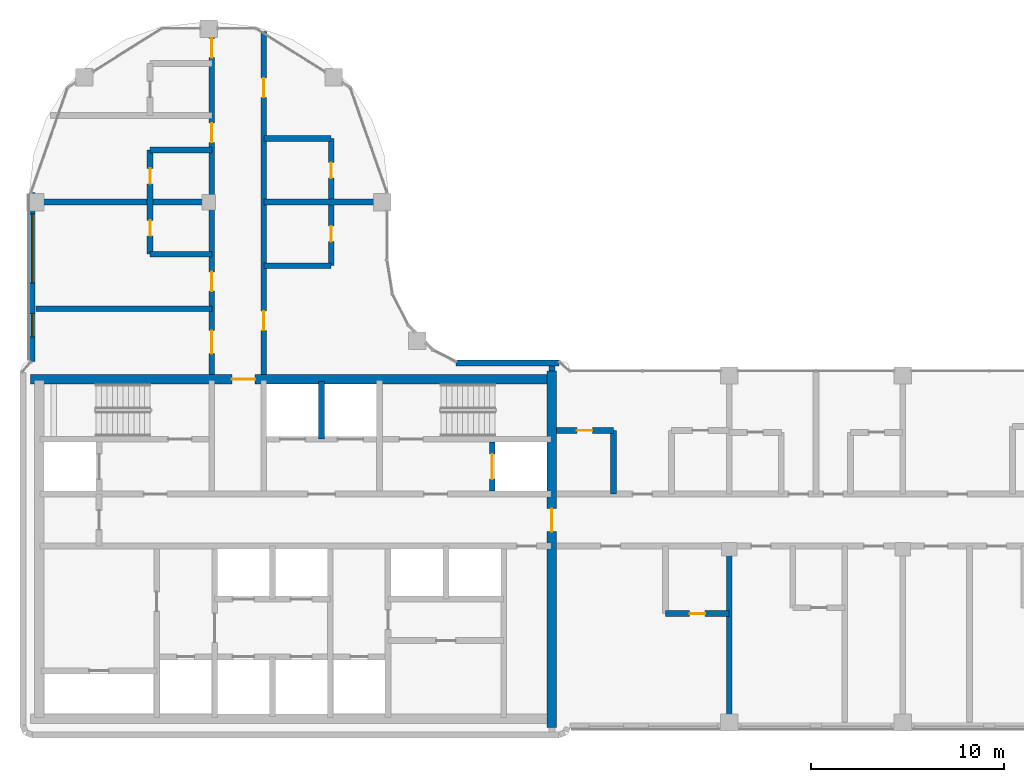
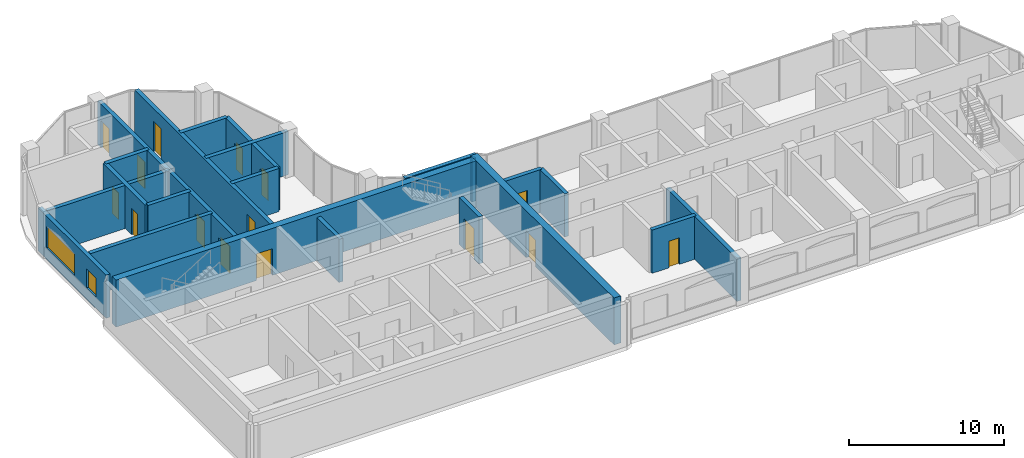
# One storey, part 10 of 17: 22 walls, 15 doors, 2 windows, 17 openings.
"""IFC4 building model written with IfcOpenShell, lengths in metres."""

from ifc_helpers import new_model, si_unit, direction, frame, frame_2d, origin, place, context, subcontext, project, spatial, rectangle, extrude, material, layer, layer_set, type_object, element, fill, save


model = new_model("IFC4")

# Units and contexts
model_context = context("Model", 3, precision=1e-05, world=origin(), true_north=direction((0.0, 1.0)))
body_context = subcontext(model_context, "Body", "Model", "MODEL_VIEW")
ifc_project = project(units=[si_unit("LENGTHUNIT", "METRE"), si_unit("AREAUNIT", "SQUARE_METRE"), si_unit("VOLUMEUNIT", "CUBIC_METRE"), si_unit("PLANEANGLEUNIT", "RADIAN"), si_unit("MASSUNIT", "GRAM", prefix="KILO")], contexts=[model_context])

# Site, building, storey
site_placement = place(None, origin())
site = spatial("IfcSite", under=ifc_project, at=site_placement, CompositionType="ELEMENT")
building_placement = place(site_placement, origin())
building = spatial("IfcBuilding", under=site, at=building_placement, Name="Ogive Portal Towers", CompositionType="ELEMENT")
storey_placement = place(building_placement, frame((0.0, 0.0, 221.699951171875)))
storey = spatial("IfcBuildingStorey", under=building, at=storey_placement, Name="L55", CompositionType="ELEMENT", Elevation=221.699951171875)

# Wall, opening, door
ifc_material_1 = material(Name="Concrete C60/75", Category="concrete")
ifc_layer_1 = layer(ifc_material_1, 0.300048828125)
ifc_layer_set_1 = layer_set([ifc_layer_1], Name="CORE WALL 300 C60")
wall_type_1 = type_object("IfcWallType", Name="CORE WALL 300 C60", PredefinedType="SHEAR", material=ifc_layer_set_1)
wall_1_placement = place(storey_placement, frame((55.199951171875, 33.5, 0.0), z_axis=(0.0, 0.0, 1.0), x_axis=(0.0, 1.0, 0.0)))
wall_1 = element("IfcWall", 1, at=wall_1_placement, inside=storey, type_object=wall_type_1, Name="Core wall X10 L55", PredefinedType="SHEAR", context=body_context, shape_type="SweptSolid", body=[
    extrude(rectangle(XDim=2.550048828125, YDim=0.300048828125, at=frame_2d((1.27490234375, 0.0))), origin(), (0.0, 0.0, 1.0), 3.699951171875),
])
opening_1_placement = place(wall_1_placement, frame((0.625, 0.0, 0.0)))
opening_1 = element("IfcOpeningElement", 2, at=opening_1_placement, cuts=wall_1, Name="Opening D24-019", PredefinedType="OPENING", context=body_context, shape_type="SweptSolid", body=[
    extrude(rectangle(XDim=1.300048828125, YDim=2.39990234375, at=frame_2d((0.64990234375, 1.199951171875))), frame((0.0, 0.16015625, 0.0), z_axis=(0.0, -1.0, 0.0), x_axis=(1.0, 0.0, 0.0)), (0.0, 0.0, 1.0), 0.320068359375),
])
ifc_material_2 = material(Name="Stainless steel", Category="steel")
door_type_1 = type_object("IfcDoorType", Name="DT-LD-1300x2400", OperationType="SLIDING_TO_LEFT", PredefinedType="DOOR", material=ifc_material_2)
door_1_placement = place(opening_1_placement, origin())
door_1 = element("IfcDoor", 3, at=door_1_placement, inside=storey, type_object=door_type_1, Name="Door D24-019", OperationType="SLIDING_TO_LEFT", OverallHeight=2.39990234375, OverallWidth=1.300048828125, PredefinedType="DOOR", context=body_context, shape_type="SweptSolid", body=[
    extrude(rectangle(XDim=1.300048828125, YDim=2.39990234375, at=frame_2d((0.64990234375, 1.199951171875))), frame((0.0, 0.02490234375, 0.0), z_axis=(0.0, -1.0, 0.0), x_axis=(1.0, 0.0, 0.0)), (0.0, 0.0, 1.0), 0.050048828125),
])
fill(opening_1, door_1)

ifc_layer_2 = layer(ifc_material_1, 0.5)
ifc_layer_set_2 = layer_set([ifc_layer_2], Name="CORE WALL 500 C60")
wall_type_2 = type_object("IfcWallType", Name="CORE WALL 500 C60", PredefinedType="SHEAR", material=ifc_layer_set_2)
wall_2_placement = place(storey_placement, frame((58.300048828125, 21.25, 0.0), z_axis=(0.0, 0.0, 1.0), x_axis=(0.0, 1.0, 0.0)))
wall_2 = element("IfcWall", 4, at=wall_2_placement, inside=storey, type_object=wall_type_2, Name="Core wall E L55", PredefinedType="SHEAR", context=body_context, shape_type="SweptSolid", body=[
    extrude(rectangle(XDim=18.5, YDim=0.5, at=frame_2d((9.25, 0.0))), origin(), (0.0, 0.0, 1.0), 3.699951171875),
])
opening_2_placement = place(wall_2_placement, frame((10.14990234375, 0.0, 0.0)))
opening_2 = element("IfcOpeningElement", 5, at=opening_2_placement, cuts=wall_2, Name="Opening D24-010", PredefinedType="OPENING", context=body_context, shape_type="SweptSolid", body=[
    extrude(rectangle(XDim=1.199951171875, YDim=2.10009765625, at=frame_2d((0.60009765625, 1.050048828125))), frame((0.0, 0.260009765625, 0.0), z_axis=(0.0, -1.0, 0.0), x_axis=(1.0, 0.0, 0.0)), (0.0, 0.0, 1.0), 0.52001953125),
])
ifc_material_3 = material(Name="Steel fire door", Category="steel")
door_type_2 = type_object("IfcDoorType", Name="DT-SWING-1200x2100-FD90S", OperationType="SINGLE_SWING_LEFT", PredefinedType="DOOR", material=ifc_material_3)
door_2_placement = place(opening_2_placement, origin())
door_2 = element("IfcDoor", 6, at=door_2_placement, inside=storey, type_object=door_type_2, Name="Door D24-010", OperationType="SINGLE_SWING_LEFT", OverallHeight=2.10009765625, OverallWidth=1.199951171875, PredefinedType="DOOR", context=body_context, shape_type="SweptSolid", body=[
    extrude(rectangle(XDim=1.199951171875, YDim=2.10009765625, at=frame_2d((0.60009765625, 1.050048828125))), frame((0.0, 0.02490234375, 0.0), z_axis=(0.0, -1.0, 0.0), x_axis=(1.0, 0.0, 0.0)), (0.0, 0.0, 1.0), 0.050048828125),
])
fill(opening_2, door_2)

wall_3_placement = place(storey_placement, frame((31.25, 39.300048828125, 0.0), z_axis=(0.0, 0.0, 1.0), x_axis=(1.0, 0.0, 0.0)))
wall_3 = element("IfcWall", 7, at=wall_3_placement, inside=storey, type_object=wall_type_2, Name="Core wall N L55", PredefinedType="SHEAR", context=body_context, shape_type="SweptSolid", body=[
    extrude(rectangle(XDim=27.0, YDim=0.5, at=frame_2d((13.5, 0.0))), origin(), (0.0, 0.0, 1.0), 3.699951171875),
])
opening_3_placement = place(wall_3_placement, frame((10.449951171875, 0.0, 0.0)))
opening_3 = element("IfcOpeningElement", 8, at=opening_3_placement, cuts=wall_3, Name="Opening D24-011", PredefinedType="OPENING", context=body_context, shape_type="SweptSolid", body=[
    extrude(rectangle(XDim=1.199951171875, YDim=2.10009765625, at=frame_2d((0.60009765625, 1.050048828125))), frame((0.0, 0.260009765625, 0.0), z_axis=(0.0, -1.0, 0.0), x_axis=(1.0, 0.0, 0.0)), (0.0, 0.0, 1.0), 0.52001953125),
])
door_3_placement = place(opening_3_placement, origin())
door_3 = element("IfcDoor", 9, at=door_3_placement, inside=storey, type_object=door_type_2, Name="Door D24-011", OperationType="SINGLE_SWING_RIGHT", OverallHeight=2.10009765625, OverallWidth=1.199951171875, PredefinedType="DOOR", context=body_context, shape_type="SweptSolid", body=[
    extrude(rectangle(XDim=1.199951171875, YDim=2.10009765625, at=frame_2d((0.60009765625, 1.050048828125))), frame((0.0, 0.02490234375, 0.0), z_axis=(0.0, -1.0, 0.0), x_axis=(1.0, 0.0, 0.0)), (0.0, 0.0, 1.0), 0.050048828125),
])
fill(opening_3, door_3)

# Wall
ifc_material_4 = material(Name="Limestone cladding on lightweight block wall", Category="masonry")
ifc_layer_3 = layer(ifc_material_4, 0.300048828125)
ifc_layer_set_3 = layer_set([ifc_layer_3], Name="EXTERNAL WALL 300 STONE")
wall_type_3 = type_object("IfcWallType", Name="EXTERNAL WALL 300 STONE", PredefinedType="SOLIDWALL", material=ifc_layer_set_3)
wall_4_placement = place(storey_placement, frame((58.669921875, 40.14990234375, 0.0), z_axis=(0.0, 0.0, 1.0), x_axis=(-1.0, 0.0, 0.0)))
element("IfcWall", 10, at=wall_4_placement, inside=storey, type_object=wall_type_3, Name="A:L55:f01:r0:wall", PredefinedType="SOLIDWALL", context=body_context, shape_type="SweptSolid", body=[
    extrude(rectangle(XDim=5.3408203125, YDim=0.300048828125, at=frame_2d((2.67041015625, 0.0))), origin(), (0.0, 0.0, 1.0), 3.400146484375),
])

# Wall, openings, windows
wall_5_placement = place(storey_placement, frame((31.330078125, 48.986328125, 0.0), z_axis=(0.0, 0.0, 1.0), x_axis=(0.0, -1.0, 0.0)))
wall_5 = element("IfcWall", 11, at=wall_5_placement, inside=storey, type_object=wall_type_3, Name="A:L55:f12:r0:wall", PredefinedType="SOLIDWALL", context=body_context, shape_type="SweptSolid", body=[
    extrude(rectangle(XDim=8.76611328125, YDim=0.300048828125, at=frame_2d((4.383056640625, 0.0))), origin(), (0.0, 0.0, 1.0), 3.400146484375),
])
opening_4_placement = place(wall_5_placement, frame((1.09326171875, 0.0, 0.89990234375)))
opening_4 = element("IfcOpeningElement", 12, at=opening_4_placement, cuts=wall_5, Name="Opening WN14", PredefinedType="OPENING", context=body_context, shape_type="SweptSolid", body=[
    extrude(rectangle(XDim=3.60009765625, YDim=1.699951171875, at=frame_2d((1.800048828125, 0.85009765625))), frame((0.0, 0.16015625, 0.0), z_axis=(0.0, -1.0, 0.0), x_axis=(1.0, 0.0, 0.0)), (0.0, 0.0, 1.0), 0.320068359375),
])
opening_5_placement = place(wall_5_placement, frame((6.2763671875, 0.0, 0.89990234375)))
opening_5 = element("IfcOpeningElement", 13, at=opening_5_placement, cuts=wall_5, Name="Opening WN9", PredefinedType="OPENING", context=body_context, shape_type="SweptSolid", body=[
    extrude(rectangle(XDim=1.199951171875, YDim=1.5, at=frame_2d((0.60009765625, 0.75))), frame((0.0, 0.16015625, 0.0), z_axis=(0.0, -1.0, 0.0), x_axis=(1.0, 0.0, 0.0)), (0.0, 0.0, 1.0), 0.320068359375),
])
ifc_material_5 = material(Name="Glass, clear low-iron insulated glazing", Category="glass")
window_type_1 = type_object("IfcWindowType", Name="WINDOW HOTEL CASEMENT 1200x1500", PartitioningType="DOUBLE_PANEL_VERTICAL", PredefinedType="WINDOW", material=ifc_material_5)
window_1_placement = place(opening_5_placement, origin())
window_1 = element("IfcWindow", 14, at=window_1_placement, inside=storey, type_object=window_type_1, Name="A:L55:f12:r0:w1", OverallHeight=1.5, OverallWidth=1.199951171875, PartitioningType="SINGLE_PANEL", PredefinedType="WINDOW", context=body_context, shape_type="SweptSolid", body=[
    extrude(rectangle(XDim=1.199951171875, YDim=1.5, at=frame_2d((0.60009765625, 0.75))), frame((0.0, 0.030029296875, 0.0), z_axis=(0.0, -1.0, 0.0), x_axis=(1.0, 0.0, 0.0)), (0.0, 0.0, 1.0), 0.06005859375),
])
fill(opening_5, window_1)
window_type_2 = type_object("IfcWindowType", Name="WINDOW RIBBON LANCET 3600x1700", PartitioningType="TRIPLE_PANEL_VERTICAL", PredefinedType="WINDOW", material=ifc_material_5)
window_2_placement = place(opening_4_placement, origin())
window_2 = element("IfcWindow", 15, at=window_2_placement, inside=storey, type_object=window_type_2, Name="A:L55:f12:r0:w0", OverallHeight=1.699951171875, OverallWidth=3.60009765625, PartitioningType="SINGLE_PANEL", PredefinedType="WINDOW", context=body_context, shape_type="SweptSolid", body=[
    extrude(rectangle(XDim=3.60009765625, YDim=1.699951171875, at=frame_2d((1.800048828125, 0.85009765625))), frame((0.0, 0.030029296875, 0.0), z_axis=(0.0, -1.0, 0.0), x_axis=(1.0, 0.0, 0.0)), (0.0, 0.0, 1.0), 0.06005859375),
])
fill(opening_4, window_2)

# Wall
ifc_material_6 = material(Name="Gypsum board partition on steel studs", Category="steel")
ifc_layer_4 = layer(ifc_material_6, 0.300048828125)
ifc_layer_set_4 = layer_set([ifc_layer_4], Name="WT-PART-300-EI 120")
wall_type_4 = type_object("IfcWallType", Name="WT-PART-300-EI 120", PredefinedType="PARTITIONING", material=ifc_layer_set_4)
wall_6_placement = place(storey_placement, frame((58.300048828125, 39.75, 0.0), z_axis=(0.0, 0.0, 1.0), x_axis=(0.0, 1.0, 0.0)))
element("IfcWall", 16, at=wall_6_placement, inside=storey, type_object=wall_type_4, Name="Wall L55:wc02", PredefinedType="PARTITIONING", context=body_context, shape_type="SweptSolid", body=[
    extrude(rectangle(XDim=0.239990234375, YDim=0.300048828125, at=frame_2d((0.1201171875, 0.0))), origin(), (0.0, 0.0, 1.0), 3.400146484375),
])

# Wall, opening, door
ifc_layer_5 = layer(ifc_material_6, 0.300048828125)
ifc_layer_set_5 = layer_set([ifc_layer_5], Name="WT-PART-300-EI 60")
wall_type_5 = type_object("IfcWallType", Name="WT-PART-300-EI 60", PredefinedType="PARTITIONING", material=ifc_layer_set_5)
wall_7_placement = place(storey_placement, frame((64.199951171875, 27.14990234375, 0.0), z_axis=(0.0, 0.0, 1.0), x_axis=(1.0, 0.0, 0.0)))
wall_7 = element("IfcWall", 17, at=wall_7_placement, inside=storey, type_object=wall_type_5, Name="Wall L55:w002", PredefinedType="PARTITIONING", context=body_context, shape_type="SweptSolid", body=[
    extrude(rectangle(XDim=3.300048828125, YDim=0.300048828125, at=frame_2d((1.64990234375, 0.0))), origin(), (0.0, 0.0, 1.0), 3.400146484375),
])
opening_6_placement = place(wall_7_placement, frame((1.25, 0.0, 0.0)))
opening_6 = element("IfcOpeningElement", 18, at=opening_6_placement, cuts=wall_7, Name="Opening D24-028", PredefinedType="OPENING", context=body_context, shape_type="SweptSolid", body=[
    extrude(rectangle(XDim=0.800048828125, YDim=2.10009765625, at=frame_2d((0.39990234375, 1.050048828125))), frame((0.0, 0.16015625, 0.0), z_axis=(0.0, -1.0, 0.0), x_axis=(1.0, 0.0, 0.0)), (0.0, 0.0, 1.0), 0.320068359375),
])
door_type_3 = type_object("IfcDoorType", Name="DT-BATH-800x2100-FD60S", OperationType="SINGLE_SWING_LEFT", PredefinedType="DOOR", material=ifc_material_3)
door_4_placement = place(opening_6_placement, origin())
door_4 = element("IfcDoor", 19, at=door_4_placement, inside=storey, type_object=door_type_3, Name="Door D24-028", OperationType="SINGLE_SWING_LEFT", OverallHeight=2.10009765625, OverallWidth=0.800048828125, PredefinedType="DOOR", context=body_context, shape_type="SweptSolid", body=[
    extrude(rectangle(XDim=0.800048828125, YDim=2.10009765625, at=frame_2d((0.39990234375, 1.050048828125))), frame((0.0, 0.02490234375, 0.0), z_axis=(0.0, -1.0, 0.0), x_axis=(1.0, 0.0, 0.0)), (0.0, 0.0, 1.0), 0.050048828125),
])
fill(opening_6, door_4)

wall_8_placement = place(storey_placement, frame((58.550048828125, 36.64990234375, 0.0), z_axis=(0.0, 0.0, 1.0), x_axis=(1.0, 0.0, 0.0)))
wall_8 = element("IfcWall", 20, at=wall_8_placement, inside=storey, type_object=wall_type_5, Name="Wall L55:w011", PredefinedType="PARTITIONING", context=body_context, shape_type="SweptSolid", body=[
    extrude(rectangle(XDim=2.949951171875, YDim=0.300048828125, at=frame_2d((1.47509765625, 0.0))), origin(), (0.0, 0.0, 1.0), 3.400146484375),
])
opening_7_placement = place(wall_8_placement, frame((1.050048828125, 0.0, 0.0)))
opening_7 = element("IfcOpeningElement", 21, at=opening_7_placement, cuts=wall_8, Name="Opening D24-025", PredefinedType="OPENING", context=body_context, shape_type="SweptSolid", body=[
    extrude(rectangle(XDim=0.800048828125, YDim=2.10009765625, at=frame_2d((0.39990234375, 1.050048828125))), frame((0.0, 0.16015625, 0.0), z_axis=(0.0, -1.0, 0.0), x_axis=(1.0, 0.0, 0.0)), (0.0, 0.0, 1.0), 0.320068359375),
])
door_5_placement = place(opening_7_placement, origin())
door_5 = element("IfcDoor", 22, at=door_5_placement, inside=storey, type_object=door_type_3, Name="Door D24-025", OperationType="SINGLE_SWING_LEFT", OverallHeight=2.10009765625, OverallWidth=0.800048828125, PredefinedType="DOOR", context=body_context, shape_type="SweptSolid", body=[
    extrude(rectangle(XDim=0.800048828125, YDim=2.10009765625, at=frame_2d((0.39990234375, 1.050048828125))), frame((0.0, 0.02490234375, 0.0), z_axis=(0.0, -1.0, 0.0), x_axis=(1.0, 0.0, 0.0)), (0.0, 0.0, 1.0), 0.050048828125),
])
fill(opening_7, door_5)

# Walls
wall_9_placement = place(storey_placement, frame((31.530029296875, 42.969970703125, 0.0), z_axis=(0.0, 0.0, 1.0), x_axis=(1.0, 0.0, 0.0)))
element("IfcWall", 23, at=wall_9_placement, inside=storey, type_object=wall_type_5, Name="Wall L55:w014", PredefinedType="PARTITIONING", context=body_context, shape_type="SweptSolid", body=[
    extrude(rectangle(XDim=9.119873046875, YDim=0.300048828125, at=frame_2d((4.56005859375, 0.0))), origin(), (0.0, 0.0, 1.0), 3.400146484375),
])
wall_10_placement = place(storey_placement, frame((43.35009765625, 45.199951171875, 0.0), z_axis=(0.0, 0.0, 1.0), x_axis=(1.0, 0.0, 0.0)))
element("IfcWall", 24, at=wall_10_placement, inside=storey, type_object=wall_type_5, Name="Wall L55:w015", PredefinedType="PARTITIONING", context=body_context, shape_type="SweptSolid", body=[
    extrude(rectangle(XDim=3.5, YDim=0.300048828125, at=frame_2d((1.75, 0.0))), origin(), (0.0, 0.0, 1.0), 3.400146484375),
])
wall_11_placement = place(storey_placement, frame((37.449951171875, 45.800048828125, 0.0), z_axis=(0.0, 0.0, 1.0), x_axis=(1.0, 0.0, 0.0)))
element("IfcWall", 25, at=wall_11_placement, inside=storey, type_object=wall_type_5, Name="Wall L55:w016", PredefinedType="PARTITIONING", context=body_context, shape_type="SweptSolid", body=[
    extrude(rectangle(XDim=3.199951171875, YDim=0.300048828125, at=frame_2d((1.60009765625, 0.0))), origin(), (0.0, 0.0, 1.0), 3.400146484375),
])
wall_12_placement = place(storey_placement, frame((31.530029296875, 48.5, 0.0), z_axis=(0.0, 0.0, 1.0), x_axis=(1.0, 0.0, 0.0)))
element("IfcWall", 26, at=wall_12_placement, inside=storey, type_object=wall_type_5, Name="Wall L55:w017", PredefinedType="PARTITIONING", context=body_context, shape_type="SweptSolid", body=[
    extrude(rectangle(XDim=9.119873046875, YDim=0.300048828125, at=frame_2d((4.56005859375, 0.0))), origin(), (0.0, 0.0, 1.0), 3.400146484375),
])
wall_13_placement = place(storey_placement, frame((43.35009765625, 48.5, 0.0), z_axis=(0.0, 0.0, 1.0), x_axis=(1.0, 0.0, 0.0)))
element("IfcWall", 27, at=wall_13_placement, inside=storey, type_object=wall_type_5, Name="Wall L55:w018", PredefinedType="PARTITIONING", context=body_context, shape_type="SweptSolid", body=[
    extrude(rectangle(XDim=6.119873046875, YDim=0.300048828125, at=frame_2d((3.06005859375, 0.0))), origin(), (0.0, 0.0, 1.0), 3.400146484375),
])
wall_14_placement = place(storey_placement, frame((37.449951171875, 51.199951171875, 0.0), z_axis=(0.0, 0.0, 1.0), x_axis=(1.0, 0.0, 0.0)))
element("IfcWall", 28, at=wall_14_placement, inside=storey, type_object=wall_type_5, Name="Wall L55:w019", PredefinedType="PARTITIONING", context=body_context, shape_type="SweptSolid", body=[
    extrude(rectangle(XDim=3.199951171875, YDim=0.300048828125, at=frame_2d((1.60009765625, 0.0))), origin(), (0.0, 0.0, 1.0), 3.400146484375),
])
wall_15_placement = place(storey_placement, frame((43.35009765625, 51.800048828125, 0.0), z_axis=(0.0, 0.0, 1.0), x_axis=(1.0, 0.0, 0.0)))
element("IfcWall", 29, at=wall_15_placement, inside=storey, type_object=wall_type_5, Name="Wall L55:w020", PredefinedType="PARTITIONING", context=body_context, shape_type="SweptSolid", body=[
    extrude(rectangle(XDim=3.5, YDim=0.300048828125, at=frame_2d((1.75, 0.0))), origin(), (0.0, 0.0, 1.0), 3.400146484375),
])

# Wall, openings, doors
wall_16_placement = place(storey_placement, frame((37.449951171875, 45.800048828125, 0.0), z_axis=(0.0, 0.0, 1.0), x_axis=(0.0, 1.0, 0.0)))
wall_16 = element("IfcWall", 30, at=wall_16_placement, inside=storey, type_object=wall_type_5, Name="Wall L55:w023", PredefinedType="PARTITIONING", context=body_context, shape_type="SweptSolid", body=[
    extrude(rectangle(XDim=5.39990234375, YDim=0.300048828125, at=frame_2d((2.699951171875, 0.0))), origin(), (0.0, 0.0, 1.0), 3.400146484375),
])
opening_8_placement = place(wall_16_placement, frame((0.949951171875, 0.0, 0.0)))
opening_8 = element("IfcOpeningElement", 31, at=opening_8_placement, cuts=wall_16, Name="Opening D24-045", PredefinedType="OPENING", context=body_context, shape_type="SweptSolid", body=[
    extrude(rectangle(XDim=0.800048828125, YDim=2.10009765625, at=frame_2d((0.39990234375, 1.050048828125))), frame((0.0, 0.16015625, 0.0), z_axis=(0.0, -1.0, 0.0), x_axis=(1.0, 0.0, 0.0)), (0.0, 0.0, 1.0), 0.320068359375),
])
opening_9_placement = place(wall_16_placement, frame((3.64990234375, 0.0, 0.0)))
opening_9 = element("IfcOpeningElement", 32, at=opening_9_placement, cuts=wall_16, Name="Opening D24-049", PredefinedType="OPENING", context=body_context, shape_type="SweptSolid", body=[
    extrude(rectangle(XDim=0.800048828125, YDim=2.10009765625, at=frame_2d((0.39990234375, 1.050048828125))), frame((0.0, 0.16015625, 0.0), z_axis=(0.0, -1.0, 0.0), x_axis=(1.0, 0.0, 0.0)), (0.0, 0.0, 1.0), 0.320068359375),
])
door_6_placement = place(opening_8_placement, origin())
door_6 = element("IfcDoor", 33, at=door_6_placement, inside=storey, type_object=door_type_3, Name="Door D24-045", OperationType="SINGLE_SWING_LEFT", OverallHeight=2.10009765625, OverallWidth=0.800048828125, PredefinedType="DOOR", context=body_context, shape_type="SweptSolid", body=[
    extrude(rectangle(XDim=0.800048828125, YDim=2.10009765625, at=frame_2d((0.39990234375, 1.050048828125))), frame((0.0, 0.02490234375, 0.0), z_axis=(0.0, -1.0, 0.0), x_axis=(1.0, 0.0, 0.0)), (0.0, 0.0, 1.0), 0.050048828125),
])
fill(opening_8, door_6)
door_7_placement = place(opening_9_placement, origin())
door_7 = element("IfcDoor", 34, at=door_7_placement, inside=storey, type_object=door_type_3, Name="Door D24-049", OperationType="SINGLE_SWING_LEFT", OverallHeight=2.10009765625, OverallWidth=0.800048828125, PredefinedType="DOOR", context=body_context, shape_type="SweptSolid", body=[
    extrude(rectangle(XDim=0.800048828125, YDim=2.10009765625, at=frame_2d((0.39990234375, 1.050048828125))), frame((0.0, 0.02490234375, 0.0), z_axis=(0.0, -1.0, 0.0), x_axis=(1.0, 0.0, 0.0)), (0.0, 0.0, 1.0), 0.050048828125),
])
fill(opening_9, door_7)

wall_17_placement = place(storey_placement, frame((40.64990234375, 39.550048828125, 0.0), z_axis=(0.0, 0.0, 1.0), x_axis=(0.0, 1.0, 0.0)))
wall_17 = element("IfcWall", 35, at=wall_17_placement, inside=storey, type_object=wall_type_5, Name="Wall L55:w025", PredefinedType="PARTITIONING", context=body_context, shape_type="SweptSolid", body=[
    extrude(rectangle(XDim=17.919921875, YDim=0.300048828125, at=frame_2d((8.9599609375, 0.0))), origin(), (0.0, 0.0, 1.0), 3.400146484375),
])
opening_10_placement = place(wall_17_placement, frame((1.0849609375, 0.0, 0.0)))
opening_10 = element("IfcOpeningElement", 36, at=opening_10_placement, cuts=wall_17, Name="Opening D24-044", PredefinedType="OPENING", context=body_context, shape_type="SweptSolid", body=[
    extrude(rectangle(XDim=1.199951171875, YDim=2.10009765625, at=frame_2d((0.60009765625, 1.050048828125))), frame((0.0, 0.16015625, 0.0), z_axis=(0.0, -1.0, 0.0), x_axis=(1.0, 0.0, 0.0)), (0.0, 0.0, 1.0), 0.320068359375),
])
opening_11_placement = place(wall_17_placement, frame((4.3349609375, 0.0, 0.0)))
opening_11 = element("IfcOpeningElement", 37, at=opening_11_placement, cuts=wall_17, Name="Opening D24-046", PredefinedType="OPENING", context=body_context, shape_type="SweptSolid", body=[
    extrude(rectangle(XDim=1.0, YDim=2.10009765625, at=frame_2d((0.5, 1.050048828125))), frame((0.0, 0.16015625, 0.0), z_axis=(0.0, -1.0, 0.0), x_axis=(1.0, 0.0, 0.0)), (0.0, 0.0, 1.0), 0.320068359375),
])
opening_12_placement = place(wall_17_placement, frame((12.050048828125, 0.0, 0.0)))
opening_12 = element("IfcOpeningElement", 38, at=opening_12_placement, cuts=wall_17, Name="Opening D24-050", PredefinedType="OPENING", context=body_context, shape_type="SweptSolid", body=[
    extrude(rectangle(XDim=1.0, YDim=2.10009765625, at=frame_2d((0.5, 1.050048828125))), frame((0.0, 0.16015625, 0.0), z_axis=(0.0, -1.0, 0.0), x_axis=(1.0, 0.0, 0.0)), (0.0, 0.0, 1.0), 0.320068359375),
])
opening_13_placement = place(wall_17_placement, frame((16.449951171875, 0.0, 0.0)))
opening_13 = element("IfcOpeningElement", 39, at=opening_13_placement, cuts=wall_17, Name="Opening D24-052", PredefinedType="OPENING", context=body_context, shape_type="SweptSolid", body=[
    extrude(rectangle(XDim=1.0, YDim=2.10009765625, at=frame_2d((0.5, 1.050048828125))), frame((0.0, 0.16015625, 0.0), z_axis=(0.0, -1.0, 0.0), x_axis=(1.0, 0.0, 0.0)), (0.0, 0.0, 1.0), 0.320068359375),
])
door_type_4 = type_object("IfcDoorType", Name="DT-ENTRY-1000x2100-FD60S", OperationType="SINGLE_SWING_LEFT", PredefinedType="DOOR", material=ifc_material_3)
door_8_placement = place(opening_11_placement, origin())
door_8 = element("IfcDoor", 40, at=door_8_placement, inside=storey, type_object=door_type_4, Name="Door D24-046", OperationType="SINGLE_SWING_RIGHT", OverallHeight=2.10009765625, OverallWidth=1.0, PredefinedType="DOOR", context=body_context, shape_type="SweptSolid", body=[
    extrude(rectangle(XDim=1.0, YDim=2.10009765625, at=frame_2d((0.5, 1.050048828125))), frame((0.0, 0.02490234375, 0.0), z_axis=(0.0, -1.0, 0.0), x_axis=(1.0, 0.0, 0.0)), (0.0, 0.0, 1.0), 0.050048828125),
])
fill(opening_11, door_8)
door_9_placement = place(opening_12_placement, origin())
door_9 = element("IfcDoor", 41, at=door_9_placement, inside=storey, type_object=door_type_4, Name="Door D24-050", OperationType="SINGLE_SWING_LEFT", OverallHeight=2.10009765625, OverallWidth=1.0, PredefinedType="DOOR", context=body_context, shape_type="SweptSolid", body=[
    extrude(rectangle(XDim=1.0, YDim=2.10009765625, at=frame_2d((0.5, 1.050048828125))), frame((0.0, 0.02490234375, 0.0), z_axis=(0.0, -1.0, 0.0), x_axis=(1.0, 0.0, 0.0)), (0.0, 0.0, 1.0), 0.050048828125),
])
fill(opening_12, door_9)
door_10_placement = place(opening_13_placement, origin())
door_10 = element("IfcDoor", 42, at=door_10_placement, inside=storey, type_object=door_type_4, Name="Door D24-052", OperationType="SINGLE_SWING_RIGHT", OverallHeight=2.10009765625, OverallWidth=1.0, PredefinedType="DOOR", context=body_context, shape_type="SweptSolid", body=[
    extrude(rectangle(XDim=1.0, YDim=2.10009765625, at=frame_2d((0.5, 1.050048828125))), frame((0.0, 0.02490234375, 0.0), z_axis=(0.0, -1.0, 0.0), x_axis=(1.0, 0.0, 0.0)), (0.0, 0.0, 1.0), 0.050048828125),
])
fill(opening_13, door_10)
door_type_5 = type_object("IfcDoorType", Name="DT-ENTRY-1200x2100-FD60S", OperationType="SINGLE_SWING_LEFT", PredefinedType="DOOR", material=ifc_material_3)
door_11_placement = place(opening_10_placement, origin())
door_11 = element("IfcDoor", 43, at=door_11_placement, inside=storey, type_object=door_type_5, Name="Door D24-044", OperationType="SINGLE_SWING_LEFT", OverallHeight=2.10009765625, OverallWidth=1.199951171875, PredefinedType="DOOR", context=body_context, shape_type="SweptSolid", body=[
    extrude(rectangle(XDim=1.199951171875, YDim=2.10009765625, at=frame_2d((0.60009765625, 1.050048828125))), frame((0.0, 0.02490234375, 0.0), z_axis=(0.0, -1.0, 0.0), x_axis=(1.0, 0.0, 0.0)), (0.0, 0.0, 1.0), 0.050048828125),
])
fill(opening_10, door_11)

wall_18_placement = place(storey_placement, frame((43.35009765625, 39.550048828125, 0.0), z_axis=(0.0, 0.0, 1.0), x_axis=(0.0, 1.0, 0.0)))
wall_18 = element("IfcWall", 44, at=wall_18_placement, inside=storey, type_object=wall_type_5, Name="Wall L55:w026", PredefinedType="PARTITIONING", context=body_context, shape_type="SweptSolid", body=[
    extrude(rectangle(XDim=17.796875, YDim=0.300048828125, at=frame_2d((8.8984375, 0.0))), origin(), (0.0, 0.0, 1.0), 3.400146484375),
])
opening_14_placement = place(wall_18_placement, frame((2.300048828125, 0.0, 0.0)))
opening_14 = element("IfcOpeningElement", 45, at=opening_14_placement, cuts=wall_18, Name="Opening D24-043", PredefinedType="OPENING", context=body_context, shape_type="SweptSolid", body=[
    extrude(rectangle(XDim=1.0, YDim=2.39990234375, at=frame_2d((0.5, 1.199951171875))), frame((0.0, 0.16015625, 0.0), z_axis=(0.0, -1.0, 0.0), x_axis=(1.0, 0.0, 0.0)), (0.0, 0.0, 1.0), 0.320068359375),
])
opening_15_placement = place(wall_18_placement, frame((14.383056640625, 0.0, 0.0)))
opening_15 = element("IfcOpeningElement", 46, at=opening_15_placement, cuts=wall_18, Name="Opening D24-048", PredefinedType="OPENING", context=body_context, shape_type="SweptSolid", body=[
    extrude(rectangle(XDim=1.0, YDim=2.39990234375, at=frame_2d((0.5, 1.199951171875))), frame((0.0, 0.16015625, 0.0), z_axis=(0.0, -1.0, 0.0), x_axis=(1.0, 0.0, 0.0)), (0.0, 0.0, 1.0), 0.320068359375),
])
door_type_6 = type_object("IfcDoorType", Name="DT-ENTRY-1000x2400-FD60S", OperationType="SINGLE_SWING_LEFT", PredefinedType="DOOR", material=ifc_material_3)
door_12_placement = place(opening_14_placement, origin())
door_12 = element("IfcDoor", 47, at=door_12_placement, inside=storey, type_object=door_type_6, Name="Door D24-043", OperationType="SINGLE_SWING_RIGHT", OverallHeight=2.39990234375, OverallWidth=1.0, PredefinedType="DOOR", context=body_context, shape_type="SweptSolid", body=[
    extrude(rectangle(XDim=1.0, YDim=2.39990234375, at=frame_2d((0.5, 1.199951171875))), frame((0.0, 0.02490234375, 0.0), z_axis=(0.0, -1.0, 0.0), x_axis=(1.0, 0.0, 0.0)), (0.0, 0.0, 1.0), 0.050048828125),
])
fill(opening_14, door_12)
door_13_placement = place(opening_15_placement, origin())
door_13 = element("IfcDoor", 48, at=door_13_placement, inside=storey, type_object=door_type_6, Name="Door D24-048", OperationType="SINGLE_SWING_LEFT", OverallHeight=2.39990234375, OverallWidth=1.0, PredefinedType="DOOR", context=body_context, shape_type="SweptSolid", body=[
    extrude(rectangle(XDim=1.0, YDim=2.39990234375, at=frame_2d((0.5, 1.199951171875))), frame((0.0, 0.02490234375, 0.0), z_axis=(0.0, -1.0, 0.0), x_axis=(1.0, 0.0, 0.0)), (0.0, 0.0, 1.0), 0.050048828125),
])
fill(opening_15, door_13)

wall_19_placement = place(storey_placement, frame((46.85009765625, 45.199951171875, 0.0), z_axis=(0.0, 0.0, 1.0), x_axis=(0.0, 1.0, 0.0)))
wall_19 = element("IfcWall", 49, at=wall_19_placement, inside=storey, type_object=wall_type_5, Name="Wall L55:w027", PredefinedType="PARTITIONING", context=body_context, shape_type="SweptSolid", body=[
    extrude(rectangle(XDim=6.60009765625, YDim=0.300048828125, at=frame_2d((3.300048828125, 0.0))), origin(), (0.0, 0.0, 1.0), 3.400146484375),
])
opening_16_placement = place(wall_19_placement, frame((1.25, 0.0, 0.0)))
opening_16 = element("IfcOpeningElement", 50, at=opening_16_placement, cuts=wall_19, Name="Opening D24-042", PredefinedType="OPENING", context=body_context, shape_type="SweptSolid", body=[
    extrude(rectangle(XDim=0.800048828125, YDim=2.10009765625, at=frame_2d((0.39990234375, 1.050048828125))), frame((0.0, 0.16015625, 0.0), z_axis=(0.0, -1.0, 0.0), x_axis=(1.0, 0.0, 0.0)), (0.0, 0.0, 1.0), 0.320068359375),
])
opening_17_placement = place(wall_19_placement, frame((4.550048828125, 0.0, 0.0)))
opening_17 = element("IfcOpeningElement", 51, at=opening_17_placement, cuts=wall_19, Name="Opening D24-047", PredefinedType="OPENING", context=body_context, shape_type="SweptSolid", body=[
    extrude(rectangle(XDim=0.800048828125, YDim=2.10009765625, at=frame_2d((0.39990234375, 1.050048828125))), frame((0.0, 0.16015625, 0.0), z_axis=(0.0, -1.0, 0.0), x_axis=(1.0, 0.0, 0.0)), (0.0, 0.0, 1.0), 0.320068359375),
])
door_14_placement = place(opening_16_placement, origin())
door_14 = element("IfcDoor", 52, at=door_14_placement, inside=storey, type_object=door_type_3, Name="Door D24-042", OperationType="SINGLE_SWING_LEFT", OverallHeight=2.10009765625, OverallWidth=0.800048828125, PredefinedType="DOOR", context=body_context, shape_type="SweptSolid", body=[
    extrude(rectangle(XDim=0.800048828125, YDim=2.10009765625, at=frame_2d((0.39990234375, 1.050048828125))), frame((0.0, 0.02490234375, 0.0), z_axis=(0.0, -1.0, 0.0), x_axis=(1.0, 0.0, 0.0)), (0.0, 0.0, 1.0), 0.050048828125),
])
fill(opening_16, door_14)
door_15_placement = place(opening_17_placement, origin())
door_15 = element("IfcDoor", 53, at=door_15_placement, inside=storey, type_object=door_type_3, Name="Door D24-047", OperationType="SINGLE_SWING_RIGHT", OverallHeight=2.10009765625, OverallWidth=0.800048828125, PredefinedType="DOOR", context=body_context, shape_type="SweptSolid", body=[
    extrude(rectangle(XDim=0.800048828125, YDim=2.10009765625, at=frame_2d((0.39990234375, 1.050048828125))), frame((0.0, 0.02490234375, 0.0), z_axis=(0.0, -1.0, 0.0), x_axis=(1.0, 0.0, 0.0)), (0.0, 0.0, 1.0), 0.050048828125),
])
fill(opening_17, door_15)

# Walls
wall_20_placement = place(storey_placement, frame((61.5, 33.35009765625, 0.0), z_axis=(0.0, 0.0, 1.0), x_axis=(0.0, 1.0, 0.0)))
element("IfcWall", 54, at=wall_20_placement, inside=storey, type_object=wall_type_5, Name="Wall L55:w028", PredefinedType="PARTITIONING", context=body_context, shape_type="SweptSolid", body=[
    extrude(rectangle(XDim=3.2998046875, YDim=0.300048828125, at=frame_2d((1.64990234375, 0.0))), origin(), (0.0, 0.0, 1.0), 3.400146484375),
])
wall_21_placement = place(storey_placement, frame((67.5, 21.530029296875, 0.0), z_axis=(0.0, 0.0, 1.0), x_axis=(0.0, 1.0, 0.0)))
element("IfcWall", 55, at=wall_21_placement, inside=storey, type_object=wall_type_5, Name="Wall L55:w031", PredefinedType="PARTITIONING", context=body_context, shape_type="SweptSolid", body=[
    extrude(rectangle(XDim=9.119873046875, YDim=0.300048828125, at=frame_2d((4.56005859375, 0.0))), origin(), (0.0, 0.0, 1.0), 3.400146484375),
])
ifc_material_7 = material(Name="Concrete C40/50", Category="concrete")
ifc_layer_6 = layer(ifc_material_7, 0.300048828125)
ifc_layer_set_6 = layer_set([ifc_layer_6], Name="WT-SHAFT-300")
wall_type_6 = type_object("IfcWallType", Name="WT-SHAFT-300", PredefinedType="SOLIDWALL", material=ifc_layer_set_6)
wall_22_placement = place(storey_placement, frame((46.35009765625, 36.199951171875, 0.0), z_axis=(0.0, 0.0, 1.0), x_axis=(0.0, 1.0, 0.0)))
element("IfcWall", 56, at=wall_22_placement, inside=storey, type_object=wall_type_6, Name="Wall pw:009:L55", PredefinedType="SOLIDWALL", context=body_context, shape_type="SweptSolid", body=[
    extrude(rectangle(XDim=3.0, YDim=0.300048828125, at=frame_2d((1.5, 0.0))), origin(), (0.0, 0.0, 1.0), 3.400146484375),
])

save(model, "model.ifc")
